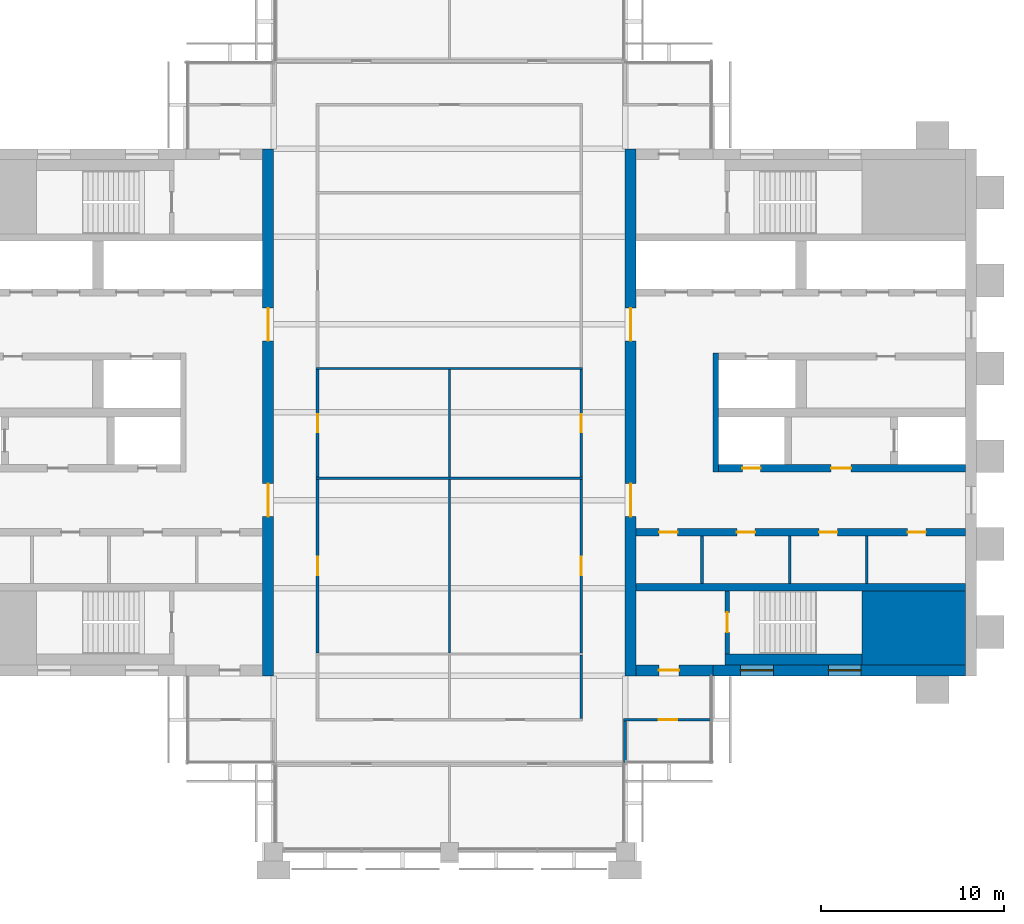
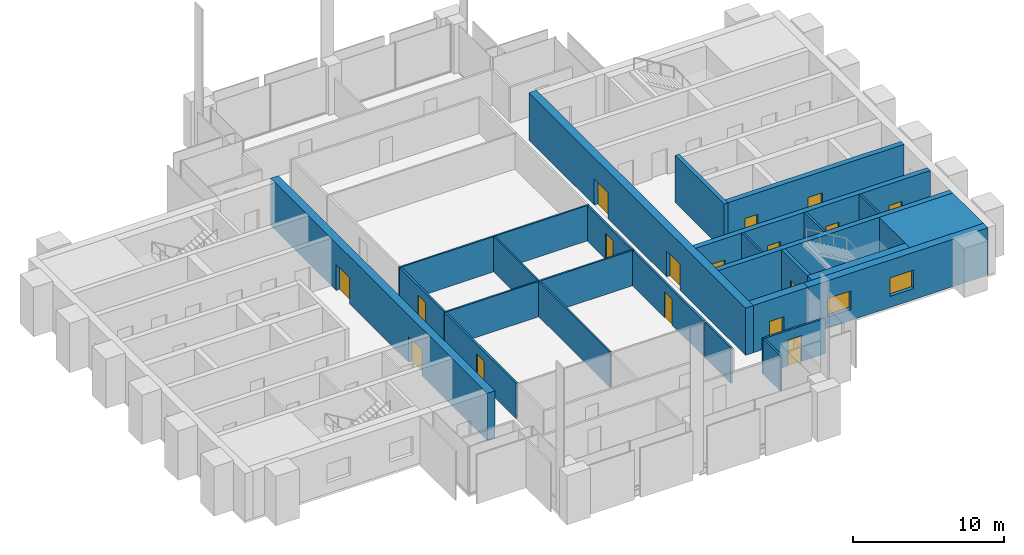
# One storey, part 9 of 12: 25 walls, 17 doors, 2 windows, 19 openings.
"""IFC4 building model written with IfcOpenShell, lengths in metres."""

import ifcopenshell
import ifcopenshell.guid

model = None  # the IFC model being written
_history = None  # IfcOwnerHistory: only IFC2X3 demands one
_inside = {}  # id of a spatial element -> (the spatial element, [elements in it])
_under = {}  # id of a project, library or spatial element -> (it, [spatial elements below it])
_declared = {}  # id of a project -> (the project, [libraries it declares])
_typed = {}  # id of a type object -> (the type object, [elements of that type])
_made_of = {}  # id of a material, layer set ... -> (it, [elements and type objects made of it])


def new_model(schema):
    """Start an empty IFC model of exactly this schema.

    Asked for "IFC4X3", IfcOpenShell would pick the latest addendum, in which some entities
    have other attributes; the version numbers below select the first issue.
    IFC2X3 requires an IfcOwnerHistory on every rooted entity: one is made here for all.
    """
    global model, _history
    if schema == "IFC4X3":
        model = ifcopenshell.file(schema_version=(4, 3, 0, 0))
    else:
        model = ifcopenshell.file(schema=schema)
    _inside.clear()
    _under.clear()
    _declared.clear()
    _typed.clear()
    _made_of.clear()
    _history = None
    if model.schema == "IFC2X3":
        org = make("IfcOrganization", Name="unknown")
        user = make(
            "IfcPersonAndOrganization",
            ThePerson=make("IfcPerson", FamilyName="unknown"),
            TheOrganization=org,
        )
        app = make(
            "IfcApplication",
            ApplicationDeveloper=org,
            Version="unknown",
            ApplicationFullName="unknown",
            ApplicationIdentifier="unknown",
        )
        _history = make(
            "IfcOwnerHistory",
            OwningUser=user,
            OwningApplication=app,
            ChangeAction="ADDED",
            CreationDate=0,
        )
    return model


def make(cls, **values):
    """One entity of the class cls with the attributes given. An attribute that is None is left unset."""
    return model.create_entity(
        cls, **{name: value for name, value in values.items() if value is not None}
    )


def rooted(cls, **values):
    """An entity with a GlobalId (a new one), such as an element, a storey or a relation."""
    return make(cls, GlobalId=ifcopenshell.guid.new(), OwnerHistory=_history, **values)


def si_unit(unit_type, name, prefix=None):
    """IfcSIUnit, for example si_unit("LENGTHUNIT", "METRE", prefix="MILLI")."""
    return make("IfcSIUnit", UnitType=unit_type, Prefix=prefix, Name=name)


def assignment(units):
    """IfcUnitAssignment: the units of a project."""
    return None if units is None else make("IfcUnitAssignment", Units=units)


def point(xyz):
    """IfcCartesianPoint."""
    return None if xyz is None else make("IfcCartesianPoint", Coordinates=xyz)


def direction(xyz):
    """IfcDirection."""
    return None if xyz is None else make("IfcDirection", DirectionRatios=xyz)


def frame(location, z_axis=None, x_axis=None):
    """IfcAxis2Placement3D, a coordinate frame: its origin and axes. An axis left out is left unset."""
    return make(
        "IfcAxis2Placement3D",
        Location=point(location),
        Axis=direction(z_axis),
        RefDirection=direction(x_axis),
    )


def frame_2d(location, x_axis=None):
    """IfcAxis2Placement2D, a coordinate frame in the plane: its origin and x axis."""
    return make(
        "IfcAxis2Placement2D", Location=point(location), RefDirection=direction(x_axis)
    )


def origin():
    """The frame at (0, 0, 0) with its axes left unset."""
    return frame((0.0, 0.0, 0.0))


def place(relative_to, where):
    """IfcLocalPlacement: puts the frame where relative to a parent placement (None: the world)."""
    return make(
        "IfcLocalPlacement", PlacementRelTo=relative_to, RelativePlacement=where
    )


def context(
    kind, dimensions, precision=None, world=None, true_north=None, identifier=None
):
    """IfcGeometricRepresentationContext, for example the 3D "Model" context."""
    return make(
        "IfcGeometricRepresentationContext",
        ContextIdentifier=identifier,
        ContextType=kind,
        CoordinateSpaceDimension=dimensions,
        Precision=precision,
        WorldCoordinateSystem=world,
        TrueNorth=true_north,
    )


def subcontext(parent, identifier, kind, view, scale=None):
    """IfcGeometricRepresentationSubContext, for example "Body" below "Model"."""
    return make(
        "IfcGeometricRepresentationSubContext",
        ContextIdentifier=identifier,
        ContextType=kind,
        ParentContext=parent,
        TargetScale=scale,
        TargetView=view,
    )


def project(units=None, contexts=None):
    """IfcProject with its units and contexts."""
    return rooted(
        "IfcProject",
        Name="project",
        RepresentationContexts=contexts,
        UnitsInContext=assignment(units),
    )


def spatial(cls, under=None, at=None, **own):
    """A site, building, storey or space (cls), placed at a placement, below another one or the project."""
    s = rooted(cls, ObjectPlacement=at, **own)
    if under is not None:
        _under.setdefault(under.id(), (under, []))[1].append(s)
    return s


def profile(cls, at=None, kind="AREA", **sizes):
    """A parametric profile (cls). Its sizes go by their IFC names, for example OverallWidth=200.0."""
    return make(cls, ProfileType=kind, Position=at, **sizes)


def rectangle(**sizes):
    """IfcRectangleProfileDef."""
    return profile("IfcRectangleProfileDef", **sizes)


def extrude(swept, where, along, depth):
    """IfcExtrudedAreaSolid: the profile swept, set in the frame where, extruded along a direction by depth."""
    return make(
        "IfcExtrudedAreaSolid",
        SweptArea=swept,
        Position=where,
        ExtrudedDirection=direction(along),
        Depth=depth,
    )


def shape(context_of_items, identifier, shape_type, items):
    """IfcShapeRepresentation: the items that make up one representation, for example the "Body"."""
    return make(
        "IfcShapeRepresentation",
        ContextOfItems=context_of_items,
        RepresentationIdentifier=identifier,
        RepresentationType=shape_type,
        Items=items,
    )


def material(Name=None, Category=None):
    """IfcMaterial."""
    return make("IfcMaterial", Name=Name, Category=Category)


def layer(
    of_material, thickness, ventilated=None, Name=None, Category=None, Priority=None
):
    """IfcMaterialLayer: one layer of a wall or slab, of a material (None: an air gap)."""
    return make(
        "IfcMaterialLayer",
        Material=of_material,
        LayerThickness=thickness,
        IsVentilated=ventilated,
        Name=Name,
        Category=Category,
        Priority=Priority,
    )


def layer_set(layers, Name=None):
    """IfcMaterialLayerSet."""
    return make("IfcMaterialLayerSet", MaterialLayers=layers, LayerSetName=Name)


def made_of(thing, what):
    """Note that an element or type object is made of a material, layer set ...; save() writes the relation."""
    if what is not None:
        _made_of.setdefault(what.id(), (what, []))[1].append(thing)
    return thing


def type_object(cls, material=None, **own):
    """A type object (cls), such as IfcWallType, which elements share."""
    return made_of(rooted(cls, **own), material)


def element(
    cls,
    number,
    at=None,
    inside=None,
    cuts=None,
    type_object=None,
    material=None,
    context=None,
    identifier="Body",
    shape_type=None,
    held_by="IfcProductDefinitionShape",
    body=None,
    shapes=None,
    **own,
):
    """One element of the class cls, such as IfcWall. Its Tag is "e" and its number.

    at: its placement. inside: the storey or other place that contains it. cuts: it is an
    opening in that element (IfcRelVoidsElement). A single representation is given by context,
    identifier, shape_type and body (its items); several are given by shapes. held_by: the class
    of the entity that holds the representations. save() writes the other relations.
    """
    e = rooted(cls, Tag="e%d" % number, ObjectPlacement=at, **own)
    if body is not None:
        shapes = [shape(context, identifier, shape_type, body)]
    if shapes is not None:
        e.Representation = make(held_by, Representations=shapes)
    if inside is not None:
        _inside.setdefault(inside.id(), (inside, []))[1].append(e)
    if cuts is not None:
        rooted(
            "IfcRelVoidsElement", RelatingBuildingElement=cuts, RelatedOpeningElement=e
        )
    if type_object is not None:
        _typed.setdefault(type_object.id(), (type_object, []))[1].append(e)
    return made_of(e, material)


def fill(opening, filler):
    """IfcRelFillsElement: the door or window that sits in an opening."""
    return rooted(
        "IfcRelFillsElement",
        RelatingOpeningElement=opening,
        RelatedBuildingElement=filler,
    )


def aggregate(whole, parts):
    """IfcRelAggregates: a whole, such as a stair, and the parts it consists of."""
    return rooted("IfcRelAggregates", RelatingObject=whole, RelatedObjects=parts)


def save(model, path):
    """Write the relations noted so far, then the file.

    IfcRelAggregates (storeys below a building ...), IfcRelContainedInSpatialStructure (elements
    in a storey), IfcRelDefinesByType, IfcRelAssociatesMaterial and IfcRelDeclares: one each for
    every whole, place, type object, material and project.
    """
    for whole, parts in _under.values():
        aggregate(whole, parts)
    for where, things in _inside.values():
        rooted(
            "IfcRelContainedInSpatialStructure",
            RelatedElements=things,
            RelatingStructure=where,
        )
    for kind, things in _typed.values():
        rooted("IfcRelDefinesByType", RelatedObjects=things, RelatingType=kind)
    for what, things in _made_of.values():
        rooted("IfcRelAssociatesMaterial", RelatedObjects=things, RelatingMaterial=what)
    for by, libraries in _declared.values():
        rooted("IfcRelDeclares", RelatingContext=by, RelatedDefinitions=libraries)
    model.write(path)


model = new_model("IFC4")

# Units and contexts
model_context = context("Model", 3, precision=1e-05, world=origin(), true_north=direction((0.0, 1.0)))
body_context = subcontext(model_context, "Body", "Model", "MODEL_VIEW")
ifc_project = project(units=[si_unit("LENGTHUNIT", "METRE"), si_unit("AREAUNIT", "SQUARE_METRE"), si_unit("VOLUMEUNIT", "CUBIC_METRE"), si_unit("PLANEANGLEUNIT", "RADIAN"), si_unit("MASSUNIT", "GRAM", prefix="KILO")], contexts=[model_context])

# Site, building, storey
site_placement = place(None, origin())
site = spatial("IfcSite", under=ifc_project, at=site_placement, CompositionType="ELEMENT")
building_placement = place(site_placement, origin())
building = spatial("IfcBuilding", under=site, at=building_placement, Name="Baori Bourse Tower", CompositionType="ELEMENT")
storey_placement = place(building_placement, frame((0.0, 0.0, 306.300048828125)))
storey = spatial("IfcBuildingStorey", under=building, at=storey_placement, Name="L67", CompositionType="ELEMENT", Elevation=306.300048828125)

# Walls
ifc_material_1 = material(Name="Concrete f'c 40 MPa", Category="concrete")
wall_type_1 = type_object("IfcWallType", Name="Core corner block f'c 40", PredefinedType="SHEAR", material=ifc_material_1)
wall_1_placement = place(storey_placement, frame((51.35009765625, 12.22509765625, 0.0), z_axis=(0.0, 0.0, 1.0), x_axis=(1.0, 0.0, 0.0)))
element("IfcWall", 1, at=wall_1_placement, inside=storey, type_object=wall_type_1, Name="Core wall E05", PredefinedType="SHEAR", context=body_context, shape_type="SweptSolid", body=[
    extrude(rectangle(XDim=5.64990234375, YDim=4.050048828125, at=frame_2d((2.824951171875, 0.0))), origin(), (0.0, 0.0, 1.0), 3.83984375),
])
ifc_material_2 = material(Name="Blockwork partition", Category="masonry")
ifc_layer_1 = layer(ifc_material_2, 0.14990234375)
ifc_layer_set_1 = layer_set([ifc_layer_1], Name="Core partition 150")
wall_type_2 = type_object("IfcWallType", Name="Core partition 150", PredefinedType="PARTITIONING", material=ifc_layer_set_1)
for number, where, z_axis, x_axis, name in (
    (2, (51.60009765625, 14.64990234375, 0.0), (0.0, 0.0, 1.0), (0.0, 1.0, 0.0), "Partition wall E09"),
    (3, (47.39990234375, 14.64990234375, 0.0), (0.0, 0.0, 1.0), (0.0, 1.0, 0.0), "Partition wall E10"),
    (4, (42.60009765625, 14.64990234375, 0.0), (0.0, 0.0, 1.0), (0.0, 1.0, 0.0), "Partition wall E11"),
):
    element("IfcWall", number, at=place(storey_placement, frame(where, z_axis=z_axis, x_axis=x_axis)), inside=storey, type_object=wall_type_2, Name=name, PredefinedType="PARTITIONING", context=body_context, shape_type="SweptSolid", body=[
        extrude(rectangle(XDim=2.60009765625, YDim=0.14990234375, at=frame_2d((1.300048828125, 0.0))), origin(), (0.0, 0.0, 1.0), 3.83984375),
    ])

# Wall, openings, doors
ifc_material_3 = material(Name="Concrete f'c 40 MPa", Category="concrete")
ifc_layer_2 = layer(ifc_material_3, 0.60009765625)
ifc_layer_set_2 = layer_set([ifc_layer_2], Name="Core wall 600 f'c 40")
wall_type_3 = type_object("IfcWallType", Name="Core wall 600 f'c 40", PredefinedType="SHEAR", material=ifc_layer_set_2)
wall_2_placement = place(storey_placement, frame((18.89990234375, 38.39990234375, 0.0), z_axis=(0.0, 0.0, 1.0), x_axis=(0.0, -1.0, 0.0)))
wall_2 = element("IfcWall", 5, at=wall_2_placement, inside=storey, type_object=wall_type_3, Name="Core wall W04", PredefinedType="SHEAR", context=body_context, shape_type="SweptSolid", body=[
    extrude(rectangle(XDim=28.7998046875, YDim=0.60009765625, at=frame_2d((14.39990234375, 0.0))), origin(), (0.0, 0.0, 1.0), 3.83984375),
])
opening_1_placement = place(wall_2_placement, frame((18.300048828125, 0.0, 0.0)))
opening_1 = element("IfcOpeningElement", 6, at=opening_1_placement, cuts=wall_2, Name="Opening L67-D107", PredefinedType="OPENING", context=body_context, shape_type="SweptSolid", body=[
    extrude(rectangle(XDim=1.800048828125, YDim=2.10009765625, at=frame_2d((0.89990234375, 1.050048828125))), frame((0.0, 0.31005859375, 0.0), z_axis=(0.0, -1.0, 0.0), x_axis=(1.0, 0.0, 0.0)), (0.0, 0.0, 1.0), 0.6201171875),
])
opening_2_placement = place(wall_2_placement, frame((8.699951171875, 0.0, 0.0)))
opening_2 = element("IfcOpeningElement", 7, at=opening_2_placement, cuts=wall_2, Name="Opening L67-D108", PredefinedType="OPENING", context=body_context, shape_type="SweptSolid", body=[
    extrude(rectangle(XDim=1.800048828125, YDim=2.10009765625, at=frame_2d((0.89990234375, 1.050048828125))), frame((0.0, 0.31005859375, 0.0), z_axis=(0.0, -1.0, 0.0), x_axis=(1.0, 0.0, 0.0)), (0.0, 0.0, 1.0), 0.6201171875),
])
ifc_material_4 = material(Name="Painted steel door", Category="steel")
door_type_1 = type_object("IfcDoorType", Name="Core lobby door 1800", OperationType="DOUBLE_DOOR_SINGLE_SWING", PredefinedType="DOOR", material=ifc_material_4)
door_1_placement = place(opening_1_placement, origin())
door_1 = element("IfcDoor", 8, at=door_1_placement, inside=storey, type_object=door_type_1, Name="Lobby door W L67", OperationType="DOUBLE_DOOR_SINGLE_SWING", OverallHeight=2.10009765625, OverallWidth=1.800048828125, PredefinedType="DOOR", context=body_context, shape_type="SweptSolid", body=[
    extrude(rectangle(XDim=1.800048828125, YDim=2.10009765625, at=frame_2d((0.89990234375, 1.050048828125))), frame((0.0, 0.02490234375, 0.0), z_axis=(0.0, -1.0, 0.0), x_axis=(1.0, 0.0, 0.0)), (0.0, 0.0, 1.0), 0.050048828125),
])
fill(opening_1, door_1)
door_2_placement = place(opening_2_placement, origin())
door_2 = element("IfcDoor", 9, at=door_2_placement, inside=storey, type_object=door_type_1, Name="Lobby door W L67", OperationType="DOUBLE_DOOR_SINGLE_SWING", OverallHeight=2.10009765625, OverallWidth=1.800048828125, PredefinedType="DOOR", context=body_context, shape_type="SweptSolid", body=[
    extrude(rectangle(XDim=1.800048828125, YDim=2.10009765625, at=frame_2d((0.89990234375, 1.050048828125))), frame((0.0, 0.02490234375, 0.0), z_axis=(0.0, -1.0, 0.0), x_axis=(1.0, 0.0, 0.0)), (0.0, 0.0, 1.0), 0.050048828125),
])
fill(opening_2, door_2)

# Wall, openings, windows
wall_3_placement = place(storey_placement, frame((57.0, 9.89990234375, 0.0), z_axis=(0.0, 0.0, 1.0), x_axis=(-1.0, 0.0, 0.0)))
wall_3 = element("IfcWall", 10, at=wall_3_placement, inside=storey, type_object=wall_type_3, Name="Core wall E02", PredefinedType="SHEAR", context=body_context, shape_type="SweptSolid", body=[
    extrude(rectangle(XDim=13.800048828125, YDim=0.60009765625, at=frame_2d((6.89990234375, 0.0))), origin(), (0.0, 0.0, 1.0), 3.83984375),
])
opening_3_placement = place(wall_3_placement, frame((5.699951171875, 0.0, 0.89990234375)))
opening_3 = element("IfcOpeningElement", 11, at=opening_3_placement, cuts=wall_3, Name="Opening L67-KW203", PredefinedType="OPENING", context=body_context, shape_type="SweptSolid", body=[
    extrude(rectangle(XDim=1.800048828125, YDim=1.5, at=frame_2d((0.89990234375, 0.75))), frame((0.0, 0.31005859375, 0.0), z_axis=(0.0, -1.0, 0.0), x_axis=(1.0, 0.0, 0.0)), (0.0, 0.0, 1.0), 0.6201171875),
])
opening_4_placement = place(wall_3_placement, frame((10.5, 0.0, 0.89990234375)))
opening_4 = element("IfcOpeningElement", 12, at=opening_4_placement, cuts=wall_3, Name="Opening L67-KW204", PredefinedType="OPENING", context=body_context, shape_type="SweptSolid", body=[
    extrude(rectangle(XDim=1.800048828125, YDim=1.5, at=frame_2d((0.89990234375, 0.75))), frame((0.0, 0.31005859375, 0.0), z_axis=(0.0, -1.0, 0.0), x_axis=(1.0, 0.0, 0.0)), (0.0, 0.0, 1.0), 0.6201171875),
])
ifc_material_5 = material(Name="Pale anodised aluminium", Category="aluminium")
window_type = type_object("IfcWindowType", Name="Stair window 1800 x 1500", PartitioningType="SINGLE_PANEL", PredefinedType="WINDOW", material=ifc_material_5)
window_1_placement = place(opening_3_placement, origin())
window_1 = element("IfcWindow", 13, at=window_1_placement, inside=storey, type_object=window_type, Name="Stair window E L67 3", OverallHeight=1.5, OverallWidth=1.800048828125, PartitioningType="SINGLE_PANEL", PredefinedType="WINDOW", context=body_context, shape_type="SweptSolid", body=[
    extrude(rectangle(XDim=1.800048828125, YDim=1.5, at=frame_2d((0.89990234375, 0.75))), frame((0.0, 0.030029296875, 0.0), z_axis=(0.0, -1.0, 0.0), x_axis=(1.0, 0.0, 0.0)), (0.0, 0.0, 1.0), 0.06005859375),
])
fill(opening_3, window_1)
window_2_placement = place(opening_4_placement, origin())
window_2 = element("IfcWindow", 14, at=window_2_placement, inside=storey, type_object=window_type, Name="Stair window E L67 4", OverallHeight=1.5, OverallWidth=1.800048828125, PartitioningType="SINGLE_PANEL", PredefinedType="WINDOW", context=body_context, shape_type="SweptSolid", body=[
    extrude(rectangle(XDim=1.800048828125, YDim=1.5, at=frame_2d((0.89990234375, 0.75))), frame((0.0, 0.030029296875, 0.0), z_axis=(0.0, -1.0, 0.0), x_axis=(1.0, 0.0, 0.0)), (0.0, 0.0, 1.0), 0.06005859375),
])
fill(opening_4, window_2)

# Wall, opening, door
wall_4_placement = place(storey_placement, frame((43.199951171875, 9.89990234375, 0.0), z_axis=(0.0, 0.0, 1.0), x_axis=(-1.0, 0.0, 0.0)))
wall_4 = element("IfcWall", 15, at=wall_4_placement, inside=storey, type_object=wall_type_3, Name="Core wall E03", PredefinedType="SHEAR", context=body_context, shape_type="SweptSolid", body=[
    extrude(rectangle(XDim=4.199951171875, YDim=0.60009765625, at=frame_2d((2.10009765625, 0.0))), origin(), (0.0, 0.0, 1.0), 3.83984375),
])
opening_5_placement = place(wall_4_placement, frame((1.85009765625, 0.0, 0.0)))
opening_5 = element("IfcOpeningElement", 16, at=opening_5_placement, cuts=wall_4, Name="Opening L67-D202", PredefinedType="OPENING", context=body_context, shape_type="SweptSolid", body=[
    extrude(rectangle(XDim=1.10009765625, YDim=2.10009765625, at=frame_2d((0.550048828125, 1.050048828125))), frame((0.0, 0.31005859375, 0.0), z_axis=(0.0, -1.0, 0.0), x_axis=(1.0, 0.0, 0.0)), (0.0, 0.0, 1.0), 0.6201171875),
])
ifc_material_6 = material(Name="Painted steel door", Category="steel")
door_type_2 = type_object("IfcDoorType", Name="Stair door 1100", OperationType="SINGLE_SWING_LEFT", PredefinedType="DOOR", material=ifc_material_6)
door_3_placement = place(opening_5_placement, origin())
door_3 = element("IfcDoor", 17, at=door_3_placement, inside=storey, type_object=door_type_2, Name="Stair vestibule door A E L67", OperationType="SINGLE_SWING_LEFT", OverallHeight=2.10009765625, OverallWidth=1.10009765625, PredefinedType="DOOR", context=body_context, shape_type="SweptSolid", body=[
    extrude(rectangle(XDim=1.10009765625, YDim=2.10009765625, at=frame_2d((0.550048828125, 1.050048828125))), frame((0.0, 0.02490234375, 0.0), z_axis=(0.0, -1.0, 0.0), x_axis=(1.0, 0.0, 0.0)), (0.0, 0.0, 1.0), 0.050048828125),
])
fill(opening_5, door_3)

# Wall, openings, doors
wall_5_placement = place(storey_placement, frame((38.699951171875, 9.60009765625, 0.0), z_axis=(0.0, 0.0, 1.0), x_axis=(0.0, 1.0, 0.0)))
wall_5 = element("IfcWall", 18, at=wall_5_placement, inside=storey, type_object=wall_type_3, Name="Core wall E04", PredefinedType="SHEAR", context=body_context, shape_type="SweptSolid", body=[
    extrude(rectangle(XDim=28.7998046875, YDim=0.60009765625, at=frame_2d((14.39990234375, 0.0))), origin(), (0.0, 0.0, 1.0), 3.83984375),
])
opening_6_placement = place(wall_5_placement, frame((8.699951171875, 0.0, 0.0)))
opening_6 = element("IfcOpeningElement", 19, at=opening_6_placement, cuts=wall_5, Name="Opening L67-D207", PredefinedType="OPENING", context=body_context, shape_type="SweptSolid", body=[
    extrude(rectangle(XDim=1.800048828125, YDim=2.10009765625, at=frame_2d((0.89990234375, 1.050048828125))), frame((0.0, 0.31005859375, 0.0), z_axis=(0.0, -1.0, 0.0), x_axis=(1.0, 0.0, 0.0)), (0.0, 0.0, 1.0), 0.6201171875),
])
opening_7_placement = place(wall_5_placement, frame((18.300048828125, 0.0, 0.0)))
opening_7 = element("IfcOpeningElement", 20, at=opening_7_placement, cuts=wall_5, Name="Opening L67-D208", PredefinedType="OPENING", context=body_context, shape_type="SweptSolid", body=[
    extrude(rectangle(XDim=1.800048828125, YDim=2.10009765625, at=frame_2d((0.89990234375, 1.050048828125))), frame((0.0, 0.31005859375, 0.0), z_axis=(0.0, -1.0, 0.0), x_axis=(1.0, 0.0, 0.0)), (0.0, 0.0, 1.0), 0.6201171875),
])
door_4_placement = place(opening_6_placement, origin())
door_4 = element("IfcDoor", 21, at=door_4_placement, inside=storey, type_object=door_type_1, Name="Lobby door E L67", OperationType="DOUBLE_DOOR_SINGLE_SWING", OverallHeight=2.10009765625, OverallWidth=1.800048828125, PredefinedType="DOOR", context=body_context, shape_type="SweptSolid", body=[
    extrude(rectangle(XDim=1.800048828125, YDim=2.10009765625, at=frame_2d((0.89990234375, 1.050048828125))), frame((0.0, 0.02490234375, 0.0), z_axis=(0.0, -1.0, 0.0), x_axis=(1.0, 0.0, 0.0)), (0.0, 0.0, 1.0), 0.050048828125),
])
fill(opening_6, door_4)
door_5_placement = place(opening_7_placement, origin())
door_5 = element("IfcDoor", 22, at=door_5_placement, inside=storey, type_object=door_type_1, Name="Lobby door E L67", OperationType="DOUBLE_DOOR_SINGLE_SWING", OverallHeight=2.10009765625, OverallWidth=1.800048828125, PredefinedType="DOOR", context=body_context, shape_type="SweptSolid", body=[
    extrude(rectangle(XDim=1.800048828125, YDim=2.10009765625, at=frame_2d((0.89990234375, 1.050048828125))), frame((0.0, 0.02490234375, 0.0), z_axis=(0.0, -1.0, 0.0), x_axis=(1.0, 0.0, 0.0)), (0.0, 0.0, 1.0), 0.050048828125),
])
fill(opening_7, door_5)

# Wall, opening, door
ifc_material_7 = material(Name="Gypsum board partition")
ifc_layer_3 = layer(ifc_material_7, 0.14990234375)
ifc_layer_set_3 = layer_set([ifc_layer_3], Name="Corridor partition 150")
wall_type_4 = type_object("IfcWallType", Name="Corridor partition 150", PredefinedType="PARTITIONING", material=ifc_layer_set_3)
wall_6_placement = place(storey_placement, frame((38.324951171875, 7.199951171875, 0.0), z_axis=(0.0, 0.0, 1.0), x_axis=(1.0, 0.0, 0.0)))
wall_6 = element("IfcWall", 23, at=wall_6_placement, inside=storey, type_object=wall_type_4, Name="Partition", PredefinedType="PARTITIONING", context=body_context, shape_type="SweptSolid", body=[
    extrude(rectangle(XDim=4.775146484375, YDim=0.14990234375, at=frame_2d((2.3876953125, 0.0))), origin(), (0.0, 0.0, 1.0), 2.86962890625),
])
opening_8_placement = place(wall_6_placement, frame((1.925048828125, 0.0, 0.0)))
opening_8 = element("IfcOpeningElement", 24, at=opening_8_placement, cuts=wall_6, Name="Opening L67-D06", PredefinedType="OPENING", context=body_context, shape_type="SweptSolid", body=[
    extrude(rectangle(XDim=1.0, YDim=2.10009765625, at=frame_2d((0.5, 1.050048828125))), frame((0.0, 0.0849609375, 0.0), z_axis=(0.0, -1.0, 0.0), x_axis=(1.0, 0.0, 0.0)), (0.0, 0.0, 1.0), 0.169921875),
])
ifc_material_8 = material(Name="Timber door leaf", Category="wood")
door_type_3 = type_object("IfcDoorType", Name="Door 1000 x 2100", OperationType="SINGLE_SWING_LEFT", PredefinedType="DOOR", material=ifc_material_8)
door_6_placement = place(opening_8_placement, origin())
door_6 = element("IfcDoor", 25, at=door_6_placement, inside=storey, type_object=door_type_3, Name="Door", OperationType="SINGLE_SWING_RIGHT", OverallHeight=2.10009765625, OverallWidth=1.0, PredefinedType="DOOR", context=body_context, shape_type="SweptSolid", body=[
    extrude(rectangle(XDim=1.0, YDim=2.10009765625, at=frame_2d((0.5, 1.050048828125))), frame((0.0, 0.02490234375, 0.0), z_axis=(0.0, -1.0, 0.0), x_axis=(1.0, 0.0, 0.0)), (0.0, 0.0, 1.0), 0.050048828125),
])
fill(opening_8, door_6)

wall_7_placement = place(storey_placement, frame((21.60009765625, 10.862548828125, 0.0), z_axis=(0.0, 0.0, 1.0), x_axis=(0.0, 1.0, 0.0)))
wall_7 = element("IfcWall", 26, at=wall_7_placement, inside=storey, type_object=wall_type_4, Name="Partition", PredefinedType="PARTITIONING", context=body_context, shape_type="SweptSolid", body=[
    extrude(rectangle(XDim=9.474853515625, YDim=0.14990234375, at=frame_2d((4.7373046875, 0.0))), origin(), (0.0, 0.0, 1.0), 2.86962890625),
])
opening_9_placement = place(wall_7_placement, frame((4.237548828125, 0.0, 0.0)))
opening_9 = element("IfcOpeningElement", 27, at=opening_9_placement, cuts=wall_7, Name="Opening L67-D12", PredefinedType="OPENING", context=body_context, shape_type="SweptSolid", body=[
    extrude(rectangle(XDim=1.0, YDim=2.10009765625, at=frame_2d((0.5, 1.050048828125))), frame((0.0, 0.0849609375, 0.0), z_axis=(0.0, -1.0, 0.0), x_axis=(1.0, 0.0, 0.0)), (0.0, 0.0, 1.0), 0.169921875),
])
door_7_placement = place(opening_9_placement, origin())
door_7 = element("IfcDoor", 28, at=door_7_placement, inside=storey, type_object=door_type_3, Name="Door", OperationType="SINGLE_SWING_LEFT", OverallHeight=2.10009765625, OverallWidth=1.0, PredefinedType="DOOR", context=body_context, shape_type="SweptSolid", body=[
    extrude(rectangle(XDim=1.0, YDim=2.10009765625, at=frame_2d((0.5, 1.050048828125))), frame((0.0, 0.02490234375, 0.0), z_axis=(0.0, -1.0, 0.0), x_axis=(1.0, 0.0, 0.0)), (0.0, 0.0, 1.0), 0.050048828125),
])
fill(opening_9, door_7)

wall_8_placement = place(storey_placement, frame((21.60009765625, 20.46240234375, 0.0), z_axis=(0.0, 0.0, 1.0), x_axis=(0.0, 1.0, 0.0)))
wall_8 = element("IfcWall", 29, at=wall_8_placement, inside=storey, type_object=wall_type_4, Name="Partition", PredefinedType="PARTITIONING", context=body_context, shape_type="SweptSolid", body=[
    extrude(rectangle(XDim=5.875, YDim=0.14990234375, at=frame_2d((2.9375, 0.0))), origin(), (0.0, 0.0, 1.0), 2.86962890625),
])
opening_10_placement = place(wall_8_placement, frame((2.4375, 0.0, 0.0)))
opening_10 = element("IfcOpeningElement", 30, at=opening_10_placement, cuts=wall_8, Name="Opening L67-D13", PredefinedType="OPENING", context=body_context, shape_type="SweptSolid", body=[
    extrude(rectangle(XDim=1.0, YDim=2.10009765625, at=frame_2d((0.5, 1.050048828125))), frame((0.0, 0.0849609375, 0.0), z_axis=(0.0, -1.0, 0.0), x_axis=(1.0, 0.0, 0.0)), (0.0, 0.0, 1.0), 0.169921875),
])
door_8_placement = place(opening_10_placement, origin())
door_8 = element("IfcDoor", 31, at=door_8_placement, inside=storey, type_object=door_type_3, Name="Door", OperationType="SINGLE_SWING_LEFT", OverallHeight=2.10009765625, OverallWidth=1.0, PredefinedType="DOOR", context=body_context, shape_type="SweptSolid", body=[
    extrude(rectangle(XDim=1.0, YDim=2.10009765625, at=frame_2d((0.5, 1.050048828125))), frame((0.0, 0.02490234375, 0.0), z_axis=(0.0, -1.0, 0.0), x_axis=(1.0, 0.0, 0.0)), (0.0, 0.0, 1.0), 0.050048828125),
])
fill(opening_10, door_8)

# Wall
wall_9_placement = place(storey_placement, frame((36.0, 7.27490234375, 0.0), z_axis=(0.0, 0.0, 1.0), x_axis=(0.0, 1.0, 0.0)))
element("IfcWall", 32, at=wall_9_placement, inside=storey, type_object=wall_type_4, Name="Partition", PredefinedType="PARTITIONING", context=body_context, shape_type="SweptSolid", body=[
    extrude(rectangle(XDim=3.462646484375, YDim=0.14990234375, at=frame_2d((1.7314453125, 0.0))), origin(), (0.0, 0.0, 1.0), 2.86962890625),
])

# Wall, opening, door
wall_10_placement = place(storey_placement, frame((36.0, 10.862548828125, 0.0), z_axis=(0.0, 0.0, 1.0), x_axis=(0.0, 1.0, 0.0)))
wall_10 = element("IfcWall", 33, at=wall_10_placement, inside=storey, type_object=wall_type_4, Name="Partition", PredefinedType="PARTITIONING", context=body_context, shape_type="SweptSolid", body=[
    extrude(rectangle(XDim=9.474853515625, YDim=0.14990234375, at=frame_2d((4.7373046875, 0.0))), origin(), (0.0, 0.0, 1.0), 2.86962890625),
])
opening_11_placement = place(wall_10_placement, frame((4.237548828125, 0.0, 0.0)))
opening_11 = element("IfcOpeningElement", 34, at=opening_11_placement, cuts=wall_10, Name="Opening L67-D15", PredefinedType="OPENING", context=body_context, shape_type="SweptSolid", body=[
    extrude(rectangle(XDim=1.0, YDim=2.10009765625, at=frame_2d((0.5, 1.050048828125))), frame((0.0, 0.0849609375, 0.0), z_axis=(0.0, -1.0, 0.0), x_axis=(1.0, 0.0, 0.0)), (0.0, 0.0, 1.0), 0.169921875),
])
door_9_placement = place(opening_11_placement, origin())
door_9 = element("IfcDoor", 35, at=door_9_placement, inside=storey, type_object=door_type_3, Name="Door", OperationType="SINGLE_SWING_RIGHT", OverallHeight=2.10009765625, OverallWidth=1.0, PredefinedType="DOOR", context=body_context, shape_type="SweptSolid", body=[
    extrude(rectangle(XDim=1.0, YDim=2.10009765625, at=frame_2d((0.5, 1.050048828125))), frame((0.0, 0.02490234375, 0.0), z_axis=(0.0, -1.0, 0.0), x_axis=(1.0, 0.0, 0.0)), (0.0, 0.0, 1.0), 0.050048828125),
])
fill(opening_11, door_9)

wall_11_placement = place(storey_placement, frame((36.0, 20.46240234375, 0.0), z_axis=(0.0, 0.0, 1.0), x_axis=(0.0, 1.0, 0.0)))
wall_11 = element("IfcWall", 36, at=wall_11_placement, inside=storey, type_object=wall_type_4, Name="Partition", PredefinedType="PARTITIONING", context=body_context, shape_type="SweptSolid", body=[
    extrude(rectangle(XDim=5.875, YDim=0.14990234375, at=frame_2d((2.9375, 0.0))), origin(), (0.0, 0.0, 1.0), 2.86962890625),
])
opening_12_placement = place(wall_11_placement, frame((2.4375, 0.0, 0.0)))
opening_12 = element("IfcOpeningElement", 37, at=opening_12_placement, cuts=wall_11, Name="Opening L67-D16", PredefinedType="OPENING", context=body_context, shape_type="SweptSolid", body=[
    extrude(rectangle(XDim=1.0, YDim=2.10009765625, at=frame_2d((0.5, 1.050048828125))), frame((0.0, 0.0849609375, 0.0), z_axis=(0.0, -1.0, 0.0), x_axis=(1.0, 0.0, 0.0)), (0.0, 0.0, 1.0), 0.169921875),
])
door_10_placement = place(opening_12_placement, origin())
door_10 = element("IfcDoor", 38, at=door_10_placement, inside=storey, type_object=door_type_3, Name="Door", OperationType="SINGLE_SWING_RIGHT", OverallHeight=2.10009765625, OverallWidth=1.0, PredefinedType="DOOR", context=body_context, shape_type="SweptSolid", body=[
    extrude(rectangle(XDim=1.0, YDim=2.10009765625, at=frame_2d((0.5, 1.050048828125))), frame((0.0, 0.02490234375, 0.0), z_axis=(0.0, -1.0, 0.0), x_axis=(1.0, 0.0, 0.0)), (0.0, 0.0, 1.0), 0.050048828125),
])
fill(opening_12, door_10)

# Walls
wall_12_placement = place(storey_placement, frame((38.39990234375, 4.875, 0.0), z_axis=(0.0, 0.0, 1.0), x_axis=(0.0, 1.0, 0.0)))
element("IfcWall", 39, at=wall_12_placement, inside=storey, type_object=wall_type_4, Name="Partition", PredefinedType="PARTITIONING", context=body_context, shape_type="SweptSolid", body=[
    extrude(rectangle(XDim=2.25, YDim=0.14990234375, at=frame_2d((1.125, 0.0))), origin(), (0.0, 0.0, 1.0), 2.86962890625),
])
ifc_material_9 = material(Name="Gypsum board partition")
ifc_layer_4 = layer(ifc_material_9, 0.125)
ifc_layer_set_4 = layer_set([ifc_layer_4], Name="Partition 125")
wall_type_5 = type_object("IfcWallType", Name="Partition 125", PredefinedType="PARTITIONING", material=ifc_layer_set_4)
for number, where, z_axis, x_axis, name in (
    (40, (21.52490234375, 20.39990234375, 0.0), (0.0, 0.0, 1.0), (1.0, 0.0, 0.0), "Partition"),
    (41, (21.52490234375, 26.39990234375, 0.0), (0.0, 0.0, 1.0), (1.0, 0.0, 0.0), "Partition"),
):
    element("IfcWall", number, at=place(storey_placement, frame(where, z_axis=z_axis, x_axis=x_axis)), inside=storey, type_object=wall_type_5, Name=name, PredefinedType="PARTITIONING", context=body_context, shape_type="SweptSolid", body=[
        extrude(rectangle(XDim=14.550048828125, YDim=0.125, at=frame_2d((7.27490234375, 0.0))), origin(), (0.0, 0.0, 1.0), 2.86962890625),
    ])
wall_13_placement = place(storey_placement, frame((28.800048828125, 10.862548828125, 0.0), z_axis=(0.0, 0.0, 1.0), x_axis=(0.0, 1.0, 0.0)))
element("IfcWall", 42, at=wall_13_placement, inside=storey, type_object=wall_type_5, Name="Partition", PredefinedType="PARTITIONING", context=body_context, shape_type="SweptSolid", body=[
    extrude(rectangle(XDim=9.474853515625, YDim=0.125, at=frame_2d((4.7373046875, 0.0))), origin(), (0.0, 0.0, 1.0), 2.86962890625),
])
wall_14_placement = place(storey_placement, frame((28.800048828125, 20.46240234375, 0.0), z_axis=(0.0, 0.0, 1.0), x_axis=(0.0, 1.0, 0.0)))
element("IfcWall", 43, at=wall_14_placement, inside=storey, type_object=wall_type_5, Name="Partition", PredefinedType="PARTITIONING", context=body_context, shape_type="SweptSolid", body=[
    extrude(rectangle(XDim=5.875, YDim=0.125, at=frame_2d((2.9375, 0.0))), origin(), (0.0, 0.0, 1.0), 2.86962890625),
])

# Wall, opening, door
ifc_material_10 = material(Name="Concrete f'c 40 MPa", Category="concrete")
ifc_layer_5 = layer(ifc_material_10, 0.25)
ifc_layer_set_5 = layer_set([ifc_layer_5], Name="Shaft wall 250 f'c 40")
wall_type_6 = type_object("IfcWallType", Name="Shaft wall 250 f'c 40", PredefinedType="SHEAR", material=ifc_layer_set_5)
wall_15_placement = place(storey_placement, frame((43.97509765625, 10.800048828125, 0.0), z_axis=(0.0, 0.0, 1.0), x_axis=(0.0, 1.0, 0.0)))
wall_15 = element("IfcWall", 44, at=wall_15_placement, inside=storey, type_object=wall_type_6, Name="Core wall E07", PredefinedType="SHEAR", context=body_context, shape_type="SweptSolid", body=[
    extrude(rectangle(XDim=3.449951171875, YDim=0.25, at=frame_2d((1.72509765625, 0.0))), origin(), (0.0, 0.0, 1.0), 3.83984375),
])
opening_13_placement = place(wall_15_placement, frame((1.175048828125, 0.0, 0.0)))
opening_13 = element("IfcOpeningElement", 45, at=opening_13_placement, cuts=wall_15, Name="Opening L67-D201", PredefinedType="OPENING", context=body_context, shape_type="SweptSolid", body=[
    extrude(rectangle(XDim=1.10009765625, YDim=2.10009765625, at=frame_2d((0.550048828125, 1.050048828125))), frame((0.0, 0.135009765625, 0.0), z_axis=(0.0, -1.0, 0.0), x_axis=(1.0, 0.0, 0.0)), (0.0, 0.0, 1.0), 0.27001953125),
])
door_11_placement = place(opening_13_placement, origin())
door_11 = element("IfcDoor", 46, at=door_11_placement, inside=storey, type_object=door_type_2, Name="Stair door A E L67", OperationType="SINGLE_SWING_LEFT", OverallHeight=2.10009765625, OverallWidth=1.10009765625, PredefinedType="DOOR", context=body_context, shape_type="SweptSolid", body=[
    extrude(rectangle(XDim=1.10009765625, YDim=2.10009765625, at=frame_2d((0.550048828125, 1.050048828125))), frame((0.0, 0.02490234375, 0.0), z_axis=(0.0, -1.0, 0.0), x_axis=(1.0, 0.0, 0.0)), (0.0, 0.0, 1.0), 0.050048828125),
])
fill(opening_13, door_11)

# Walls
ifc_material_11 = material(Name="Concrete f'c 40 MPa", Category="concrete")
ifc_layer_6 = layer(ifc_material_11, 0.300048828125)
ifc_layer_set_6 = layer_set([ifc_layer_6], Name="Shaft wall 300 f'c 40")
wall_type_7 = type_object("IfcWallType", Name="Shaft wall 300 f'c 40", PredefinedType="SHEAR", material=ifc_layer_set_6)
wall_16_placement = place(storey_placement, frame((43.35009765625, 20.75, 0.0), z_axis=(0.0, 0.0, 1.0), x_axis=(0.0, 1.0, 0.0)))
element("IfcWall", 47, at=wall_16_placement, inside=storey, type_object=wall_type_7, Name="Core wall E14", PredefinedType="SHEAR", context=body_context, shape_type="SweptSolid", body=[
    extrude(rectangle(XDim=6.5, YDim=0.300048828125, at=frame_2d((3.25, 0.0))), origin(), (0.0, 0.0, 1.0), 3.83984375),
])
ifc_material_12 = material(Name="Concrete f'c 40 MPa", Category="concrete")
ifc_layer_7 = layer(ifc_material_12, 0.39990234375)
ifc_layer_set_7 = layer_set([ifc_layer_7], Name="Shaft wall 400 f'c 40")
wall_type_8 = type_object("IfcWallType", Name="Shaft wall 400 f'c 40", PredefinedType="SHEAR", material=ifc_layer_set_7)
wall_17_placement = place(storey_placement, frame((39.0, 14.449951171875, 0.0), z_axis=(0.0, 0.0, 1.0), x_axis=(1.0, 0.0, 0.0)))
element("IfcWall", 48, at=wall_17_placement, inside=storey, type_object=wall_type_8, Name="Core wall E08", PredefinedType="SHEAR", context=body_context, shape_type="SweptSolid", body=[
    extrude(rectangle(XDim=18.0, YDim=0.39990234375, at=frame_2d((9.0, 0.0))), origin(), (0.0, 0.0, 1.0), 3.83984375),
])

# Wall, openings, doors
wall_18_placement = place(storey_placement, frame((39.0, 17.449951171875, 0.0), z_axis=(0.0, 0.0, 1.0), x_axis=(1.0, 0.0, 0.0)))
wall_18 = element("IfcWall", 49, at=wall_18_placement, inside=storey, type_object=wall_type_8, Name="Core wall E12", PredefinedType="SHEAR", context=body_context, shape_type="SweptSolid", body=[
    extrude(rectangle(XDim=18.0, YDim=0.39990234375, at=frame_2d((9.0, 0.0))), origin(), (0.0, 0.0, 1.0), 3.83984375),
])
opening_14_placement = place(wall_18_placement, frame((14.83740234375, 0.0, 0.0)))
opening_14 = element("IfcOpeningElement", 50, at=opening_14_placement, cuts=wall_18, Name="Opening L67-D209", PredefinedType="OPENING", context=body_context, shape_type="SweptSolid", body=[
    extrude(rectangle(XDim=1.0, YDim=2.10009765625, at=frame_2d((0.5, 1.050048828125))), frame((0.0, 0.2099609375, 0.0), z_axis=(0.0, -1.0, 0.0), x_axis=(1.0, 0.0, 0.0)), (0.0, 0.0, 1.0), 0.419921875),
])
opening_15_placement = place(wall_18_placement, frame((10.0, 0.0, 0.0)))
opening_15 = element("IfcOpeningElement", 51, at=opening_15_placement, cuts=wall_18, Name="Opening L67-D210", PredefinedType="OPENING", context=body_context, shape_type="SweptSolid", body=[
    extrude(rectangle(XDim=1.0, YDim=2.10009765625, at=frame_2d((0.5, 1.050048828125))), frame((0.0, 0.2099609375, 0.0), z_axis=(0.0, -1.0, 0.0), x_axis=(1.0, 0.0, 0.0)), (0.0, 0.0, 1.0), 0.419921875),
])
opening_16_placement = place(wall_18_placement, frame((5.5, 0.0, 0.0)))
opening_16 = element("IfcOpeningElement", 52, at=opening_16_placement, cuts=wall_18, Name="Opening L67-D211", PredefinedType="OPENING", context=body_context, shape_type="SweptSolid", body=[
    extrude(rectangle(XDim=1.0, YDim=2.10009765625, at=frame_2d((0.5, 1.050048828125))), frame((0.0, 0.2099609375, 0.0), z_axis=(0.0, -1.0, 0.0), x_axis=(1.0, 0.0, 0.0)), (0.0, 0.0, 1.0), 0.419921875),
])
opening_17_placement = place(wall_18_placement, frame((1.262451171875, 0.0, 0.0)))
opening_17 = element("IfcOpeningElement", 53, at=opening_17_placement, cuts=wall_18, Name="Opening L67-D212", PredefinedType="OPENING", context=body_context, shape_type="SweptSolid", body=[
    extrude(rectangle(XDim=1.0, YDim=2.10009765625, at=frame_2d((0.5, 1.050048828125))), frame((0.0, 0.2099609375, 0.0), z_axis=(0.0, -1.0, 0.0), x_axis=(1.0, 0.0, 0.0)), (0.0, 0.0, 1.0), 0.419921875),
])
ifc_material_13 = material(Name="Painted steel door", Category="steel")
door_type_4 = type_object("IfcDoorType", Name="Core door 1000", OperationType="SINGLE_SWING_LEFT", PredefinedType="DOOR", material=ifc_material_13)
door_12_placement = place(opening_14_placement, origin())
door_12 = element("IfcDoor", 54, at=door_12_placement, inside=storey, type_object=door_type_4, Name="Men'S Wc door E L67", OperationType="SINGLE_SWING_LEFT", OverallHeight=2.10009765625, OverallWidth=1.0, PredefinedType="DOOR", context=body_context, shape_type="SweptSolid", body=[
    extrude(rectangle(XDim=1.0, YDim=2.10009765625, at=frame_2d((0.5, 1.050048828125))), frame((0.0, 0.02490234375, 0.0), z_axis=(0.0, -1.0, 0.0), x_axis=(1.0, 0.0, 0.0)), (0.0, 0.0, 1.0), 0.050048828125),
])
fill(opening_14, door_12)
door_13_placement = place(opening_15_placement, origin())
door_13 = element("IfcDoor", 55, at=door_13_placement, inside=storey, type_object=door_type_4, Name="Accessible Wc door E L67", OperationType="SINGLE_SWING_LEFT", OverallHeight=2.10009765625, OverallWidth=1.0, PredefinedType="DOOR", context=body_context, shape_type="SweptSolid", body=[
    extrude(rectangle(XDim=1.0, YDim=2.10009765625, at=frame_2d((0.5, 1.050048828125))), frame((0.0, 0.02490234375, 0.0), z_axis=(0.0, -1.0, 0.0), x_axis=(1.0, 0.0, 0.0)), (0.0, 0.0, 1.0), 0.050048828125),
])
fill(opening_15, door_13)
door_14_placement = place(opening_16_placement, origin())
door_14 = element("IfcDoor", 56, at=door_14_placement, inside=storey, type_object=door_type_4, Name="Women'S Wc door E L67", OperationType="SINGLE_SWING_LEFT", OverallHeight=2.10009765625, OverallWidth=1.0, PredefinedType="DOOR", context=body_context, shape_type="SweptSolid", body=[
    extrude(rectangle(XDim=1.0, YDim=2.10009765625, at=frame_2d((0.5, 1.050048828125))), frame((0.0, 0.02490234375, 0.0), z_axis=(0.0, -1.0, 0.0), x_axis=(1.0, 0.0, 0.0)), (0.0, 0.0, 1.0), 0.050048828125),
])
fill(opening_16, door_14)
ifc_material_14 = material(Name="Painted steel door", Category="steel")
door_type_5 = type_object("IfcDoorType", Name="Plant room door 1000", OperationType="SINGLE_SWING_LEFT", PredefinedType="DOOR", material=ifc_material_14)
door_15_placement = place(opening_17_placement, origin())
door_15 = element("IfcDoor", 57, at=door_15_placement, inside=storey, type_object=door_type_5, Name="Communications Room door E L67", OperationType="SINGLE_SWING_LEFT", OverallHeight=2.10009765625, OverallWidth=1.0, PredefinedType="DOOR", context=body_context, shape_type="SweptSolid", body=[
    extrude(rectangle(XDim=1.0, YDim=2.10009765625, at=frame_2d((0.5, 1.050048828125))), frame((0.0, 0.02490234375, 0.0), z_axis=(0.0, -1.0, 0.0), x_axis=(1.0, 0.0, 0.0)), (0.0, 0.0, 1.0), 0.050048828125),
])
fill(opening_17, door_15)

wall_19_placement = place(storey_placement, frame((43.5, 20.949951171875, 0.0), z_axis=(0.0, 0.0, 1.0), x_axis=(1.0, 0.0, 0.0)))
wall_19 = element("IfcWall", 58, at=wall_19_placement, inside=storey, type_object=wall_type_8, Name="Core wall E13", PredefinedType="SHEAR", context=body_context, shape_type="SweptSolid", body=[
    extrude(rectangle(XDim=13.5, YDim=0.39990234375, at=frame_2d((6.75, 0.0))), origin(), (0.0, 0.0, 1.0), 3.83984375),
])
opening_18_placement = place(wall_19_placement, frame((6.14990234375, 0.0, 0.0)))
opening_18 = element("IfcOpeningElement", 59, at=opening_18_placement, cuts=wall_19, Name="Opening L67-D205", PredefinedType="OPENING", context=body_context, shape_type="SweptSolid", body=[
    extrude(rectangle(XDim=1.10009765625, YDim=2.10009765625, at=frame_2d((0.550048828125, 1.050048828125))), frame((0.0, 0.2099609375, 0.0), z_axis=(0.0, -1.0, 0.0), x_axis=(1.0, 0.0, 0.0)), (0.0, 0.0, 1.0), 0.419921875),
])
opening_19_placement = place(wall_19_placement, frame((1.300048828125, 0.0, 0.0)))
opening_19 = element("IfcOpeningElement", 60, at=opening_19_placement, cuts=wall_19, Name="Opening L67-D206", PredefinedType="OPENING", context=body_context, shape_type="SweptSolid", body=[
    extrude(rectangle(XDim=1.0, YDim=2.10009765625, at=frame_2d((0.5, 1.050048828125))), frame((0.0, 0.2099609375, 0.0), z_axis=(0.0, -1.0, 0.0), x_axis=(1.0, 0.0, 0.0)), (0.0, 0.0, 1.0), 0.419921875),
])
ifc_material_15 = material(Name="Painted steel door", Category="steel")
door_type_6 = type_object("IfcDoorType", Name="Lobby door 1100", OperationType="SINGLE_SWING_LEFT", PredefinedType="DOOR", material=ifc_material_15)
door_16_placement = place(opening_18_placement, origin())
door_16 = element("IfcDoor", 61, at=door_16_placement, inside=storey, type_object=door_type_6, Name="Firefighting lobby door E L67", OperationType="SINGLE_SWING_LEFT", OverallHeight=2.10009765625, OverallWidth=1.10009765625, PredefinedType="DOOR", context=body_context, shape_type="SweptSolid", body=[
    extrude(rectangle(XDim=1.10009765625, YDim=2.10009765625, at=frame_2d((0.550048828125, 1.050048828125))), frame((0.0, 0.02490234375, 0.0), z_axis=(0.0, -1.0, 0.0), x_axis=(1.0, 0.0, 0.0)), (0.0, 0.0, 1.0), 0.050048828125),
])
fill(opening_18, door_16)
ifc_material_16 = material(Name="Painted steel door", Category="steel")
door_type_7 = type_object("IfcDoorType", Name="Shaft door 1000", OperationType="SINGLE_SWING_LEFT", PredefinedType="DOOR", material=ifc_material_16)
door_17_placement = place(opening_19_placement, origin())
door_17 = element("IfcDoor", 62, at=door_17_placement, inside=storey, type_object=door_type_7, Name="Riser room door E L67", OperationType="SINGLE_SWING_LEFT", OverallHeight=2.10009765625, OverallWidth=1.0, PredefinedType="DOOR", context=body_context, shape_type="SweptSolid", body=[
    extrude(rectangle(XDim=1.0, YDim=2.10009765625, at=frame_2d((0.5, 1.050048828125))), frame((0.0, 0.02490234375, 0.0), z_axis=(0.0, -1.0, 0.0), x_axis=(1.0, 0.0, 0.0)), (0.0, 0.0, 1.0), 0.050048828125),
])
fill(opening_19, door_17)

# Wall
ifc_material_17 = material(Name="Concrete f'c 40 MPa", Category="concrete")
ifc_layer_8 = layer(ifc_material_17, 0.60009765625)
ifc_layer_set_8 = layer_set([ifc_layer_8], Name="Shaft wall 600 f'c 40")
wall_type_9 = type_object("IfcWallType", Name="Shaft wall 600 f'c 40", PredefinedType="SHEAR", material=ifc_layer_set_8)
wall_20_placement = place(storey_placement, frame((43.85009765625, 10.5, 0.0), z_axis=(0.0, 0.0, 1.0), x_axis=(1.0, 0.0, 0.0)))
element("IfcWall", 63, at=wall_20_placement, inside=storey, type_object=wall_type_9, Name="Core wall E06", PredefinedType="SHEAR", context=body_context, shape_type="SweptSolid", body=[
    extrude(rectangle(XDim=7.5, YDim=0.60009765625, at=frame_2d((3.75, 0.0))), origin(), (0.0, 0.0, 1.0), 3.83984375),
])

save(model, "model.ifc")
